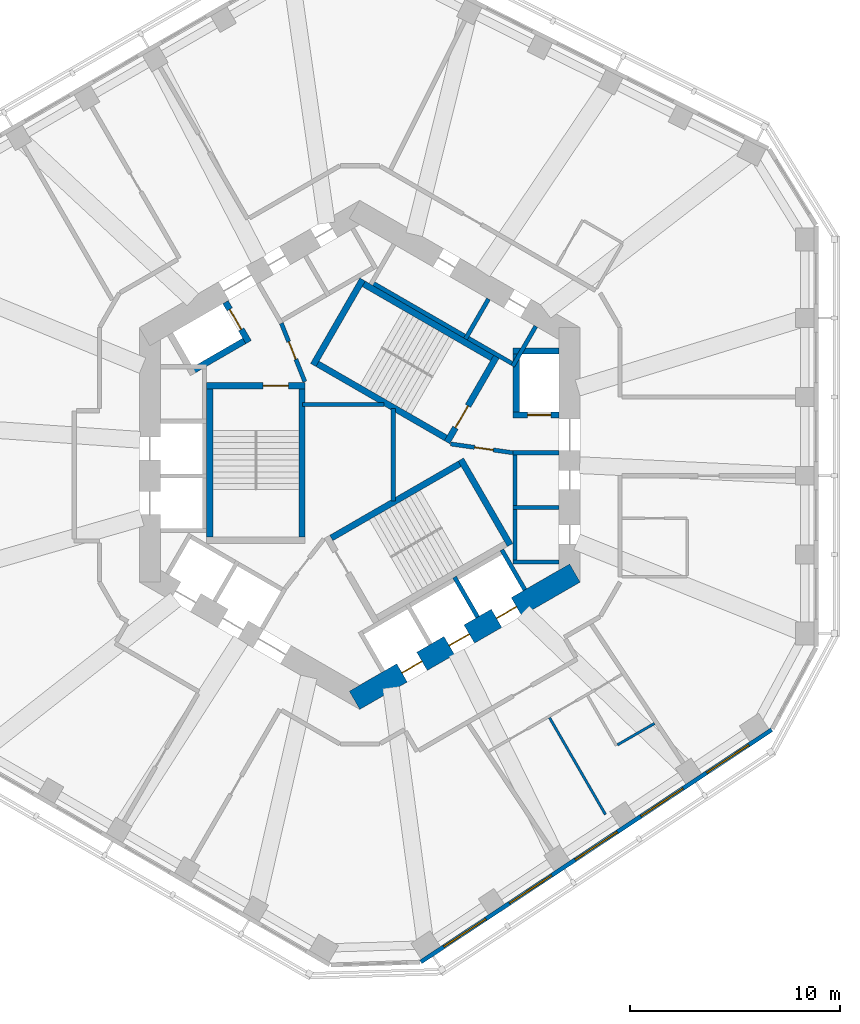
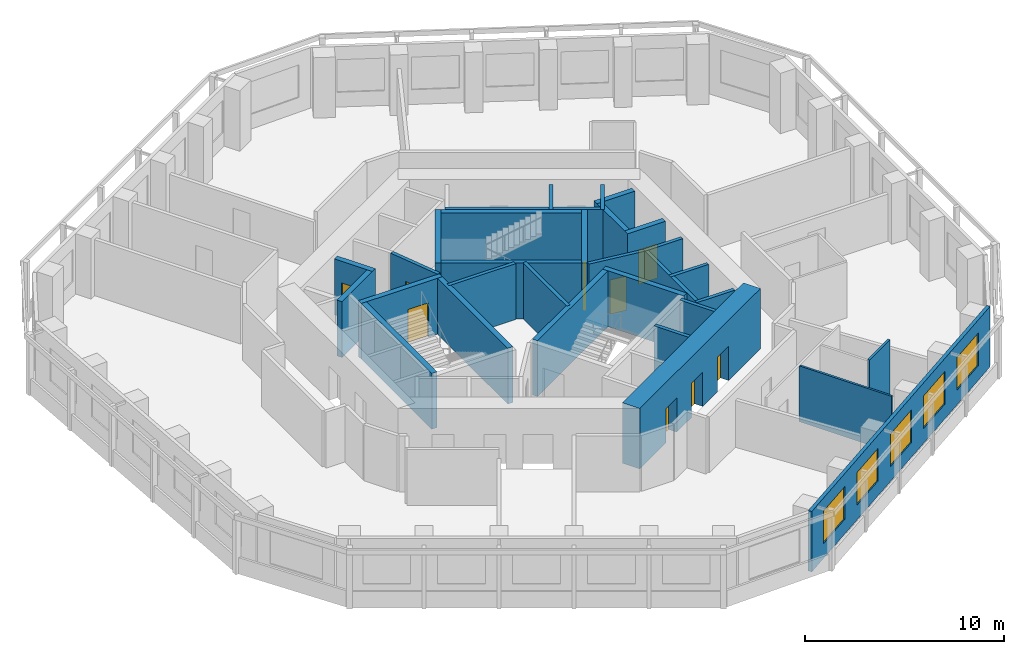
# One storey, part 5 of 10: 31 walls, 9 doors, 5 windows, 14 openings.
"""IFC4 building model written with IfcOpenShell, lengths in metres."""

from ifc_helpers import new_model, si_unit, direction, frame, frame_2d, origin, place, context, subcontext, project, spatial, rectangle, extrude, material, layer, layer_set, type_object, element, fill, save


model = new_model("IFC4")

# Units and contexts
model_context = context("Model", 3, precision=1e-05, world=origin(), true_north=direction((0.0, 1.0)))
body_context = subcontext(model_context, "Body", "Model", "MODEL_VIEW")
ifc_project = project(units=[si_unit("LENGTHUNIT", "METRE"), si_unit("AREAUNIT", "SQUARE_METRE"), si_unit("VOLUMEUNIT", "CUBIC_METRE"), si_unit("PLANEANGLEUNIT", "RADIAN"), si_unit("MASSUNIT", "GRAM", prefix="KILO")], contexts=[model_context])

# Site, building, storey
site_placement = place(None, origin())
site = spatial("IfcSite", under=ifc_project, at=site_placement, CompositionType="ELEMENT")
building_placement = place(site_placement, origin())
building = spatial("IfcBuilding", under=site, at=building_placement, Name="Vanh Sen Convention Tower", CompositionType="ELEMENT")
storey_placement = place(building_placement, frame((0.0, 0.0, 191.0)))
storey = spatial("IfcBuildingStorey", under=building, at=storey_placement, Name="L47", CompositionType="ELEMENT", Elevation=191.0)

# Walls
ifc_material_1 = material(Name="Moisture-resistant gypsum board on steel studs", Category="steel")
ifc_layer_1 = layer(ifc_material_1, 0.1201171875)
ifc_layer_set_1 = layer_set([ifc_layer_1], Name="Moisture-resistant gypsum board on steel studs")
wall_type_1 = type_object("IfcWallType", Name="Bathroom partition 120", PredefinedType="PARTITIONING", material=ifc_layer_set_1)
wall_1_placement = place(storey_placement, frame((11.705322265625, -17.1357421875, 0.0), z_axis=(0.0, 0.0, 1.0), x_axis=(-0.499985382219, 0.8660338432, 0.0)))
element("IfcWall", 1, at=wall_1_placement, inside=storey, type_object=wall_type_1, Name="Bathroom partition 120", PredefinedType="PARTITIONING", context=body_context, shape_type="SweptSolid", body=[
    extrude(rectangle(XDim=5.331787109375, YDim=0.1201171875, at=frame_2d((2.666015625, 0.0))), origin(), (0.0, 0.0, 1.0), 3.419921875),
])
wall_2_placement = place(storey_placement, frame((12.274658203125, -13.814453125, 0.0), z_axis=(0.0, 0.0, 1.0), x_axis=(0.866010195725, 0.500026340207, 0.0)))
element("IfcWall", 2, at=wall_2_placement, inside=storey, type_object=wall_type_1, Name="Bathroom partition 120", PredefinedType="PARTITIONING", context=body_context, shape_type="SweptSolid", body=[
    extrude(rectangle(XDim=2.0400390625, YDim=0.1201171875, at=frame_2d((1.02001953125, 0.0))), origin(), (0.0, 0.0, 1.0), 3.419921875),
])

# Wall, openings, doors
ifc_material_2 = material(Name="Concrete C80/95", Category="concrete")
ifc_layer_2 = layer(ifc_material_2, 1.0)
ifc_layer_set_2 = layer_set([ifc_layer_2], Name="Concrete C80/95")
wall_type_2 = type_object("IfcWallType", Name="Core outer wall 1000 C80/95", PredefinedType="SHEAR", material=ifc_layer_set_2)
wall_3_placement = place(storey_placement, frame((-0.25, -11.69140625, 0.0), z_axis=(0.0, 0.0, 1.0), x_axis=(0.866022616891, 0.50000482701, 0.0)))
wall_3 = element("IfcWall", 3, at=wall_3_placement, inside=storey, type_object=wall_type_2, Name="Core wall face SE L47", PredefinedType="SHEAR", context=body_context, shape_type="SweptSolid", body=[
    extrude(rectangle(XDim=12.12451171875, YDim=1.0, at=frame_2d((6.062255859375, 0.0))), origin(), (0.0, 0.0, 1.0), 3.699951171875),
])
opening_1_placement = place(wall_3_placement, frame((2.6123046875, 0.0, 0.0)))
opening_1 = element("IfcOpeningElement", 4, at=opening_1_placement, cuts=wall_3, Name="Opening LD-HR5", PredefinedType="OPENING", context=body_context, shape_type="SweptSolid", body=[
    extrude(rectangle(XDim=1.10009765625, YDim=2.10009765625, at=frame_2d((0.550048828125, 1.050048828125))), frame((0.0, 0.510009765625, 0.0), z_axis=(0.0, -1.0, 0.0), x_axis=(1.0, 0.0, 0.0)), (0.0, 0.0, 1.0), 1.02001953125),
])
opening_2_placement = place(wall_3_placement, frame((5.212158203125, 0.0, 0.0)))
opening_2 = element("IfcOpeningElement", 5, at=opening_2_placement, cuts=wall_3, Name="Opening LD-HR6", PredefinedType="OPENING", context=body_context, shape_type="SweptSolid", body=[
    extrude(rectangle(XDim=1.10009765625, YDim=2.10009765625, at=frame_2d((0.550048828125, 1.050048828125))), frame((0.0, 0.510009765625, 0.0), z_axis=(0.0, -1.0, 0.0), x_axis=(1.0, 0.0, 0.0)), (0.0, 0.0, 1.0), 1.02001953125),
])
opening_3_placement = place(wall_3_placement, frame((7.812255859375, 0.0, 0.0)))
opening_3 = element("IfcOpeningElement", 6, at=opening_3_placement, cuts=wall_3, Name="Opening LD-SV1", PredefinedType="OPENING", context=body_context, shape_type="SweptSolid", body=[
    extrude(rectangle(XDim=1.10009765625, YDim=2.10009765625, at=frame_2d((0.550048828125, 1.050048828125))), frame((0.0, 0.510009765625, 0.0), z_axis=(0.0, -1.0, 0.0), x_axis=(1.0, 0.0, 0.0)), (0.0, 0.0, 1.0), 1.02001953125),
])
ifc_material_3 = material(Name="Stainless steel", Category="steel")
door_type_1 = type_object("IfcDoorType", Name="Lift landing door 1100", OperationType="DOUBLE_DOOR_SLIDING", PredefinedType="DOOR", material=ifc_material_3)
door_1_placement = place(opening_1_placement, origin())
door_1 = element("IfcDoor", 7, at=door_1_placement, inside=storey, type_object=door_type_1, Name="Lift HR5 landing door LD-HR5", OperationType="DOUBLE_DOOR_SLIDING", OverallHeight=2.10009765625, OverallWidth=1.10009765625, PredefinedType="DOOR", context=body_context, shape_type="SweptSolid", body=[
    extrude(rectangle(XDim=1.10009765625, YDim=2.10009765625, at=frame_2d((0.550048828125, 1.050048828125))), frame((0.0, 0.02490234375, 0.0), z_axis=(0.0, -1.0, 0.0), x_axis=(1.0, 0.0, 0.0)), (0.0, 0.0, 1.0), 0.050048828125),
])
fill(opening_1, door_1)
door_2_placement = place(opening_2_placement, origin())
door_2 = element("IfcDoor", 8, at=door_2_placement, inside=storey, type_object=door_type_1, Name="Lift HR6 landing door LD-HR6", OperationType="DOUBLE_DOOR_SLIDING", OverallHeight=2.10009765625, OverallWidth=1.10009765625, PredefinedType="DOOR", context=body_context, shape_type="SweptSolid", body=[
    extrude(rectangle(XDim=1.10009765625, YDim=2.10009765625, at=frame_2d((0.550048828125, 1.050048828125))), frame((0.0, 0.02490234375, 0.0), z_axis=(0.0, -1.0, 0.0), x_axis=(1.0, 0.0, 0.0)), (0.0, 0.0, 1.0), 0.050048828125),
])
fill(opening_2, door_2)
door_3_placement = place(opening_3_placement, origin())
door_3 = element("IfcDoor", 9, at=door_3_placement, inside=storey, type_object=door_type_1, Name="Lift SV1 landing door LD-SV1", OperationType="DOUBLE_DOOR_SLIDING", OverallHeight=2.10009765625, OverallWidth=1.10009765625, PredefinedType="DOOR", context=body_context, shape_type="SweptSolid", body=[
    extrude(rectangle(XDim=1.10009765625, YDim=2.10009765625, at=frame_2d((0.550048828125, 1.050048828125))), frame((0.0, 0.02490234375, 0.0), z_axis=(0.0, -1.0, 0.0), x_axis=(1.0, 0.0, 0.0)), (0.0, 0.0, 1.0), 0.050048828125),
])
fill(opening_3, door_3)

# Walls
ifc_material_4 = material(Name="Masonry blockwork", Category="masonry")
ifc_layer_3 = layer(ifc_material_4, 0.199951171875)
ifc_layer_set_3 = layer_set([ifc_layer_3], Name="Masonry blockwork")
wall_type_3 = type_object("IfcWallType", Name="Core partition 200", PredefinedType="PARTITIONING", material=ifc_layer_set_3)
wall_4_placement = place(storey_placement, frame((-2.719970703125, 2.39990234375, 0.0), z_axis=(0.0, 0.0, 1.0), x_axis=(1.0, 0.0, 0.0)))
element("IfcWall", 10, at=wall_4_placement, inside=storey, type_object=wall_type_3, Name="Core partition L47", PredefinedType="PARTITIONING", context=body_context, shape_type="SweptSolid", body=[
    extrude(rectangle(XDim=3.883056640625, YDim=0.199951171875, at=frame_2d((1.94140625, 0.0))), origin(), (0.0, 0.0, 1.0), 3.419921875),
])
wall_5_placement = place(storey_placement, frame((1.60009765625, -2.198486328125, 0.0), z_axis=(0.0, 0.0, 1.0), x_axis=(0.0, 1.0, 0.0)))
element("IfcWall", 11, at=wall_5_placement, inside=storey, type_object=wall_type_3, Name="Core partition L47", PredefinedType="PARTITIONING", context=body_context, shape_type="SweptSolid", body=[
    extrude(rectangle(XDim=4.39697265625, YDim=0.199951171875, at=frame_2d((2.198486328125, 0.0))), origin(), (0.0, 0.0, 1.0), 3.419921875),
])

# Wall, openings, windows
ifc_material_5 = material(Name="Insulated lightweight infill wall")
ifc_layer_4 = layer(ifc_material_5, 0.199951171875)
ifc_layer_set_4 = layer_set([ifc_layer_4], Name="Insulated lightweight infill wall")
wall_type_4 = type_object("IfcWallType", Name="External wall 200", PredefinedType="STANDARD", material=ifc_layer_set_4)
wall_6_placement = place(storey_placement, frame((2.910888671875, -24.156005859375, 0.0), z_axis=(0.0, 0.0, 1.0), x_axis=(0.833882163564, 0.551942512668, 0.0)))
wall_6 = element("IfcWall", 12, at=wall_6_placement, inside=storey, type_object=wall_type_4, Name="External wall SE L47", PredefinedType="STANDARD", context=body_context, shape_type="SweptSolid", body=[
    extrude(rectangle(XDim=20.043701171875, YDim=0.199951171875, at=frame_2d((10.02197265625, 0.0))), origin(), (0.0, 0.0, 1.0), 3.699951171875),
])
opening_4_placement = place(wall_6_placement, frame((1.312744140625, 0.0, 0.89990234375)))
opening_4 = element("IfcOpeningElement", 13, at=opening_4_placement, cuts=wall_6, Name="Opening WO1-SE1", PredefinedType="OPENING", context=body_context, shape_type="SweptSolid", body=[
    extrude(rectangle(XDim=2.39990234375, YDim=2.0, at=frame_2d((1.199951171875, 1.0))), frame((0.0, 0.10986328125, 0.0), z_axis=(0.0, -1.0, 0.0), x_axis=(1.0, 0.0, 0.0)), (0.0, 0.0, 1.0), 0.219970703125),
])
opening_5_placement = place(wall_6_placement, frame((5.06689453125, 0.0, 0.89990234375)))
opening_5 = element("IfcOpeningElement", 14, at=opening_5_placement, cuts=wall_6, Name="Opening WO1-SE2", PredefinedType="OPENING", context=body_context, shape_type="SweptSolid", body=[
    extrude(rectangle(XDim=2.39990234375, YDim=2.0, at=frame_2d((1.199951171875, 1.0))), frame((0.0, 0.10986328125, 0.0), z_axis=(0.0, -1.0, 0.0), x_axis=(1.0, 0.0, 0.0)), (0.0, 0.0, 1.0), 0.219970703125),
])
opening_6_placement = place(wall_6_placement, frame((8.82080078125, 0.0, 0.89990234375)))
opening_6 = element("IfcOpeningElement", 15, at=opening_6_placement, cuts=wall_6, Name="Opening WO1-SE3", PredefinedType="OPENING", context=body_context, shape_type="SweptSolid", body=[
    extrude(rectangle(XDim=2.39990234375, YDim=2.0, at=frame_2d((1.199951171875, 1.0))), frame((0.0, 0.10986328125, 0.0), z_axis=(0.0, -1.0, 0.0), x_axis=(1.0, 0.0, 0.0)), (0.0, 0.0, 1.0), 0.219970703125),
])
opening_7_placement = place(wall_6_placement, frame((12.5751953125, 0.0, 0.89990234375)))
opening_7 = element("IfcOpeningElement", 16, at=opening_7_placement, cuts=wall_6, Name="Opening WO1-SE4", PredefinedType="OPENING", context=body_context, shape_type="SweptSolid", body=[
    extrude(rectangle(XDim=2.39990234375, YDim=2.0, at=frame_2d((1.199951171875, 1.0))), frame((0.0, 0.10986328125, 0.0), z_axis=(0.0, -1.0, 0.0), x_axis=(1.0, 0.0, 0.0)), (0.0, 0.0, 1.0), 0.219970703125),
])
opening_8_placement = place(wall_6_placement, frame((16.3291015625, 0.0, 0.89990234375)))
opening_8 = element("IfcOpeningElement", 17, at=opening_8_placement, cuts=wall_6, Name="Opening WO1-SE5", PredefinedType="OPENING", context=body_context, shape_type="SweptSolid", body=[
    extrude(rectangle(XDim=2.39990234375, YDim=2.0, at=frame_2d((1.199951171875, 1.0))), frame((0.0, 0.10986328125, 0.0), z_axis=(0.0, -1.0, 0.0), x_axis=(1.0, 0.0, 0.0)), (0.0, 0.0, 1.0), 0.219970703125),
])
ifc_material_6 = material(Name="Aluminium frame with clear low-emissivity glass", Category="aluminium")
window_type = type_object("IfcWindowType", Name="Office window 2400 x 2000", PartitioningType="SINGLE_PANEL", PredefinedType="WINDOW", material=ifc_material_6)
window_1_placement = place(opening_4_placement, origin())
window_1 = element("IfcWindow", 18, at=window_1_placement, inside=storey, type_object=window_type, Name="Window WO1-SE1", OverallHeight=2.0, OverallWidth=2.39990234375, PartitioningType="SINGLE_PANEL", PredefinedType="WINDOW", context=body_context, shape_type="SweptSolid", body=[
    extrude(rectangle(XDim=2.39990234375, YDim=2.0, at=frame_2d((1.199951171875, 1.0))), frame((0.0, 0.030029296875, 0.0), z_axis=(0.0, -1.0, 0.0), x_axis=(1.0, 0.0, 0.0)), (0.0, 0.0, 1.0), 0.06005859375),
])
fill(opening_4, window_1)
window_2_placement = place(opening_5_placement, origin())
window_2 = element("IfcWindow", 19, at=window_2_placement, inside=storey, type_object=window_type, Name="Window WO1-SE2", OverallHeight=2.0, OverallWidth=2.39990234375, PartitioningType="SINGLE_PANEL", PredefinedType="WINDOW", context=body_context, shape_type="SweptSolid", body=[
    extrude(rectangle(XDim=2.39990234375, YDim=2.0, at=frame_2d((1.199951171875, 1.0))), frame((0.0, 0.030029296875, 0.0), z_axis=(0.0, -1.0, 0.0), x_axis=(1.0, 0.0, 0.0)), (0.0, 0.0, 1.0), 0.06005859375),
])
fill(opening_5, window_2)
window_3_placement = place(opening_6_placement, origin())
window_3 = element("IfcWindow", 20, at=window_3_placement, inside=storey, type_object=window_type, Name="Window WO1-SE3", OverallHeight=2.0, OverallWidth=2.39990234375, PartitioningType="SINGLE_PANEL", PredefinedType="WINDOW", context=body_context, shape_type="SweptSolid", body=[
    extrude(rectangle(XDim=2.39990234375, YDim=2.0, at=frame_2d((1.199951171875, 1.0))), frame((0.0, 0.030029296875, 0.0), z_axis=(0.0, -1.0, 0.0), x_axis=(1.0, 0.0, 0.0)), (0.0, 0.0, 1.0), 0.06005859375),
])
fill(opening_6, window_3)
window_4_placement = place(opening_7_placement, origin())
window_4 = element("IfcWindow", 21, at=window_4_placement, inside=storey, type_object=window_type, Name="Window WO1-SE4", OverallHeight=2.0, OverallWidth=2.39990234375, PartitioningType="SINGLE_PANEL", PredefinedType="WINDOW", context=body_context, shape_type="SweptSolid", body=[
    extrude(rectangle(XDim=2.39990234375, YDim=2.0, at=frame_2d((1.199951171875, 1.0))), frame((0.0, 0.030029296875, 0.0), z_axis=(0.0, -1.0, 0.0), x_axis=(1.0, 0.0, 0.0)), (0.0, 0.0, 1.0), 0.06005859375),
])
fill(opening_7, window_4)
window_5_placement = place(opening_8_placement, origin())
window_5 = element("IfcWindow", 22, at=window_5_placement, inside=storey, type_object=window_type, Name="Window WO1-SE5", OverallHeight=2.0, OverallWidth=2.39990234375, PartitioningType="SINGLE_PANEL", PredefinedType="WINDOW", context=body_context, shape_type="SweptSolid", body=[
    extrude(rectangle(XDim=2.39990234375, YDim=2.0, at=frame_2d((1.199951171875, 1.0))), frame((0.0, 0.030029296875, 0.0), z_axis=(0.0, -1.0, 0.0), x_axis=(1.0, 0.0, 0.0)), (0.0, 0.0, 1.0), 0.06005859375),
])
fill(opening_8, window_5)

# Wall, opening, door
ifc_material_7 = material(Name="Concrete C60/75", Category="concrete")
ifc_layer_5 = layer(ifc_material_7, 0.300048828125)
ifc_layer_set_5 = layer_set([ifc_layer_5], Name="Concrete C60/75")
wall_type_5 = type_object("IfcWallType", Name="Fire-fighting lift shaft wall 300", PredefinedType="SHEAR", material=ifc_layer_set_5)
wall_7_placement = place(storey_placement, frame((7.300048828125, 1.89990234375, 0.0), z_axis=(0.0, 0.0, 1.0), x_axis=(1.0, 0.0, 0.0)))
wall_7 = element("IfcWall", 23, at=wall_7_placement, inside=storey, type_object=wall_type_5, Name="Fire-fighting lift shaft wall L47", PredefinedType="SHEAR", context=body_context, shape_type="SweptSolid", body=[
    extrude(rectangle(XDim=2.199951171875, YDim=0.300048828125, at=frame_2d((1.10009765625, 0.0))), origin(), (0.0, 0.0, 1.0), 3.419921875),
])
opening_9_placement = place(wall_7_placement, frame((0.699951171875, 0.0, 0.0)))
opening_9 = element("IfcOpeningElement", 24, at=opening_9_placement, cuts=wall_7, Name="Opening LD-FF1", PredefinedType="OPENING", context=body_context, shape_type="SweptSolid", body=[
    extrude(rectangle(XDim=1.10009765625, YDim=2.10009765625, at=frame_2d((0.550048828125, 1.050048828125))), frame((0.0, 0.159912109375, 0.0), z_axis=(0.0, -1.0, 0.0), x_axis=(1.0, 0.0, 0.0)), (0.0, 0.0, 1.0), 0.320068359375),
])
door_type_2 = type_object("IfcDoorType", Name="Fire-fighting lift landing door 1100", OperationType="DOUBLE_DOOR_SLIDING", PredefinedType="DOOR", material=ifc_material_3)
door_4_placement = place(opening_9_placement, origin())
door_4 = element("IfcDoor", 25, at=door_4_placement, inside=storey, type_object=door_type_2, Name="Lift FF1 landing door LD-FF1", OperationType="DOUBLE_DOOR_SLIDING", OverallHeight=2.10009765625, OverallWidth=1.10009765625, PredefinedType="DOOR", context=body_context, shape_type="SweptSolid", body=[
    extrude(rectangle(XDim=1.10009765625, YDim=2.10009765625, at=frame_2d((0.550048828125, 1.050048828125))), frame((0.0, 0.02490234375, 0.0), z_axis=(0.0, -1.0, 0.0), x_axis=(1.0, 0.0, 0.0)), (0.0, 0.0, 1.0), 0.050048828125),
])
fill(opening_9, door_4)

# Walls
wall_8_placement = place(storey_placement, frame((7.449951171875, 1.75, 0.0), z_axis=(0.0, 0.0, 1.0), x_axis=(0.0, 1.0, 0.0)))
element("IfcWall", 26, at=wall_8_placement, inside=storey, type_object=wall_type_5, Name="Fire-fighting lift shaft wall L47", PredefinedType="SHEAR", context=body_context, shape_type="SweptSolid", body=[
    extrude(rectangle(XDim=3.35009765625, YDim=0.300048828125, at=frame_2d((1.675048828125, 0.0))), origin(), (0.0, 0.0, 1.0), 3.419921875),
])
wall_9_placement = place(storey_placement, frame((7.300048828125, 4.949951171875, 0.0), z_axis=(0.0, 0.0, 1.0), x_axis=(1.0, 0.0, 0.0)))
element("IfcWall", 27, at=wall_9_placement, inside=storey, type_object=wall_type_5, Name="Fire-fighting lift shaft wall L47", PredefinedType="SHEAR", context=body_context, shape_type="SweptSolid", body=[
    extrude(rectangle(XDim=2.199951171875, YDim=0.300048828125, at=frame_2d((1.10009765625, 0.0))), origin(), (0.0, 0.0, 1.0), 3.419921875),
])

# Wall, opening, door
wall_10_placement = place(storey_placement, frame((-5.29541015625, 5.3720703125, 0.0), z_axis=(0.0, 0.0, 1.0), x_axis=(-0.500077893725, 0.86598042715, 0.0)))
wall_10 = element("IfcWall", 28, at=wall_10_placement, inside=storey, type_object=wall_type_5, Name="Fire-fighting lift shaft wall L47", PredefinedType="SHEAR", context=body_context, shape_type="SweptSolid", body=[
    extrude(rectangle(XDim=2.199951171875, YDim=0.300048828125, at=frame_2d((1.10009765625, 0.0))), origin(), (0.0, 0.0, 1.0), 3.419921875),
])
opening_10_placement = place(wall_10_placement, frame((0.699951171875, 0.0, 0.0)))
opening_10 = element("IfcOpeningElement", 29, at=opening_10_placement, cuts=wall_10, Name="Opening LD-FF2", PredefinedType="OPENING", context=body_context, shape_type="SweptSolid", body=[
    extrude(rectangle(XDim=1.10009765625, YDim=2.10009765625, at=frame_2d((0.550048828125, 1.050048828125))), frame((0.0, 0.159912109375, 0.0), z_axis=(0.0, -1.0, 0.0), x_axis=(1.0, 0.0, 0.0)), (0.0, 0.0, 1.0), 0.320068359375),
])
door_5_placement = place(opening_10_placement, origin())
door_5 = element("IfcDoor", 30, at=door_5_placement, inside=storey, type_object=door_type_2, Name="Lift FF2 landing door LD-FF2", OperationType="DOUBLE_DOOR_SLIDING", OverallHeight=2.10009765625, OverallWidth=1.10009765625, PredefinedType="DOOR", context=body_context, shape_type="SweptSolid", body=[
    extrude(rectangle(XDim=1.10009765625, YDim=2.10009765625, at=frame_2d((0.550048828125, 1.050048828125))), frame((0.0, 0.02490234375, 0.0), z_axis=(0.0, -1.0, 0.0), x_axis=(1.0, 0.0, 0.0)), (0.0, 0.0, 1.0), 0.050048828125),
])
fill(opening_10, door_5)

# Walls
wall_11_placement = place(storey_placement, frame((-5.240478515625, 5.576904296875, 0.0), z_axis=(0.0, 0.0, 1.0), x_axis=(-0.866014461049, -0.500018952895, 0.0)))
element("IfcWall", 31, at=wall_11_placement, inside=storey, type_object=wall_type_5, Name="Fire-fighting lift shaft wall L47", PredefinedType="SHEAR", context=body_context, shape_type="SweptSolid", body=[
    extrude(rectangle(XDim=3.349853515625, YDim=0.300048828125, at=frame_2d((1.6748046875, 0.0))), origin(), (0.0, 0.0, 1.0), 3.419921875),
])
ifc_material_8 = material(Name="Concrete C40/50", Category="concrete")
ifc_layer_6 = layer(ifc_material_8, 0.199951171875)
ifc_layer_set_6 = layer_set([ifc_layer_6], Name="Concrete C40/50")
wall_type_6 = type_object("IfcWallType", Name="Lift shaft wall 200", PredefinedType="PARTITIONING", material=ifc_layer_set_6)
wall_12_placement = place(storey_placement, frame((7.39990234375, -5.199951171875, 0.0), z_axis=(0.0, 0.0, 1.0), x_axis=(0.0, 1.0, 0.0)))
element("IfcWall", 32, at=wall_12_placement, inside=storey, type_object=wall_type_6, Name="Lift shaft wall L47", PredefinedType="PARTITIONING", context=body_context, shape_type="SweptSolid", body=[
    extrude(rectangle(XDim=5.39990234375, YDim=0.199951171875, at=frame_2d((2.699951171875, 0.0))), origin(), (0.0, 0.0, 1.0), 3.419921875),
])
for number, where, z_axis, x_axis, name in (
    (33, (7.300048828125, -5.10009765625, 0.0), (0.0, 0.0, 1.0), (1.0, 0.0, 0.0), "Lift shaft wall L47"),
    (34, (7.300048828125, -2.5, 0.0), (0.0, 0.0, 1.0), (1.0, 0.0, 0.0), "Lift shaft wall L47"),
    (35, (7.300048828125, 0.10009765625, 0.0), (0.0, 0.0, 1.0), (1.0, 0.0, 0.0), "Lift shaft wall L47"),
):
    element("IfcWall", number, at=place(storey_placement, frame(where, z_axis=z_axis, x_axis=x_axis)), inside=storey, type_object=wall_type_6, Name=name, PredefinedType="PARTITIONING", context=body_context, shape_type="SweptSolid", body=[
        extrude(rectangle(XDim=2.199951171875, YDim=0.199951171875, at=frame_2d((1.10009765625, 0.0))), origin(), (0.0, 0.0, 1.0), 3.419921875),
    ])
wall_13_placement = place(storey_placement, frame((7.423828125, 4.258544921875, 0.0), z_axis=(0.0, 0.0, 1.0), x_axis=(-0.866026010844, 0.49999894854, 0.0)))
element("IfcWall", 36, at=wall_13_placement, inside=storey, type_object=wall_type_6, Name="Lift shaft wall L47", PredefinedType="PARTITIONING", context=body_context, shape_type="SweptSolid", body=[
    extrude(rectangle(XDim=8.0, YDim=0.199951171875, at=frame_2d((4.0, 0.0))), origin(), (0.0, 0.0, 1.0), 3.419921875),
])
for number, where, z_axis, x_axis, name in (
    (37, (7.287353515625, 4.221923828125, 0.0), (0.0, 0.0, 1.0), (0.499946605688, 0.86605622881, 0.0), "Lift shaft wall L47"),
    (38, (5.03564453125, 5.52197265625, 0.0), (0.0, 0.0, 1.0), (0.499946605688, 0.86605622881, 0.0), "Lift shaft wall L47"),
    (39, (4.51611328125, -5.822021484375, 0.0), (0.0, 0.0, 1.0), (0.499946605688, -0.86605622881, 0.0), "Lift shaft wall L47"),
    (40, (6.767578125, -4.52197265625, 0.0), (0.0, 0.0, 1.0), (0.50002983664, -0.866008176907, 0.0), "Lift shaft wall L47"),
):
    element("IfcWall", number, at=place(storey_placement, frame(where, z_axis=z_axis, x_axis=x_axis)), inside=storey, type_object=wall_type_6, Name=name, PredefinedType="PARTITIONING", context=body_context, shape_type="SweptSolid", body=[
        extrude(rectangle(XDim=2.199951171875, YDim=0.199951171875, at=frame_2d((1.10009765625, 0.0))), origin(), (0.0, 0.0, 1.0), 3.419921875),
    ])

# Wall, opening, door
ifc_layer_7 = layer(ifc_material_8, 0.199951171875)
ifc_layer_set_7 = layer_set([ifc_layer_7], Name="Concrete C40/50")
wall_type_7 = type_object("IfcWallType", Name="Stair lobby wall 200", PredefinedType="PARTITIONING", material=ifc_layer_set_7)
wall_14_placement = place(storey_placement, frame((4.327392578125, 0.52099609375, 0.0), z_axis=(0.0, 0.0, 1.0), x_axis=(0.990124376366, -0.14019172346, 0.0)))
wall_14 = element("IfcWall", 41, at=wall_14_placement, inside=storey, type_object=wall_type_7, Name="Stair lobby wall L47", PredefinedType="PARTITIONING", context=body_context, shape_type="SweptSolid", body=[
    extrude(rectangle(XDim=3.002197265625, YDim=0.199951171875, at=frame_2d((1.5009765625, 0.0))), origin(), (0.0, 0.0, 1.0), 3.419921875),
])
opening_11_placement = place(wall_14_placement, frame((1.14990234375, 0.0, 0.0)))
opening_11 = element("IfcOpeningElement", 42, at=opening_11_placement, cuts=wall_14, Name="Opening D47007", PredefinedType="OPENING", context=body_context, shape_type="SweptSolid", body=[
    extrude(rectangle(XDim=0.89990234375, YDim=2.10009765625, at=frame_2d((0.449951171875, 1.050048828125))), frame((0.0, 0.10986328125, 0.0), z_axis=(0.0, -1.0, 0.0), x_axis=(1.0, 0.0, 0.0)), (0.0, 0.0, 1.0), 0.219970703125),
])
ifc_material_9 = material(Name="Steel S355", Category="steel")
door_type_3 = type_object("IfcDoorType", Name="Plant door 900", OperationType="SINGLE_SWING_LEFT", PredefinedType="DOOR", material=ifc_material_9)
door_6_placement = place(opening_11_placement, origin())
door_6 = element("IfcDoor", 43, at=door_6_placement, inside=storey, type_object=door_type_3, Name="Plant door D47007", OperationType="SINGLE_SWING_LEFT", OverallHeight=2.10009765625, OverallWidth=0.89990234375, PredefinedType="DOOR", context=body_context, shape_type="SweptSolid", body=[
    extrude(rectangle(XDim=0.89990234375, YDim=2.10009765625, at=frame_2d((0.449951171875, 1.050048828125))), frame((0.0, 0.02490234375, 0.0), z_axis=(0.0, -1.0, 0.0), x_axis=(1.0, 0.0, 0.0)), (0.0, 0.0, 1.0), 0.050048828125),
])
fill(opening_11, door_6)

wall_15_placement = place(storey_placement, frame((-2.614990234375, 3.487060546875, 0.0), z_axis=(0.0, 0.0, 1.0), x_axis=(-0.373576831041, 0.92759924068, 0.0)))
wall_15 = element("IfcWall", 44, at=wall_15_placement, inside=storey, type_object=wall_type_7, Name="Stair lobby wall L47", PredefinedType="PARTITIONING", context=body_context, shape_type="SweptSolid", body=[
    extrude(rectangle(XDim=3.002197265625, YDim=0.199951171875, at=frame_2d((1.5009765625, 0.0))), origin(), (0.0, 0.0, 1.0), 3.419921875),
])
opening_12_placement = place(wall_15_placement, frame((1.14990234375, 0.0, 0.0)))
opening_12 = element("IfcOpeningElement", 45, at=opening_12_placement, cuts=wall_15, Name="Opening D47008", PredefinedType="OPENING", context=body_context, shape_type="SweptSolid", body=[
    extrude(rectangle(XDim=0.89990234375, YDim=2.10009765625, at=frame_2d((0.449951171875, 1.050048828125))), frame((0.0, 0.10986328125, 0.0), z_axis=(0.0, -1.0, 0.0), x_axis=(1.0, 0.0, 0.0)), (0.0, 0.0, 1.0), 0.219970703125),
])
door_7_placement = place(opening_12_placement, origin())
door_7 = element("IfcDoor", 46, at=door_7_placement, inside=storey, type_object=door_type_3, Name="Plant door D47008", OperationType="SINGLE_SWING_LEFT", OverallHeight=2.10009765625, OverallWidth=0.89990234375, PredefinedType="DOOR", context=body_context, shape_type="SweptSolid", body=[
    extrude(rectangle(XDim=0.89990234375, YDim=2.10009765625, at=frame_2d((0.449951171875, 1.050048828125))), frame((0.0, 0.02490234375, 0.0), z_axis=(0.0, -1.0, 0.0), x_axis=(1.0, 0.0, 0.0)), (0.0, 0.0, 1.0), 0.050048828125),
])
fill(opening_12, door_7)

ifc_layer_8 = layer(ifc_material_7, 0.300048828125)
ifc_layer_set_8 = layer_set([ifc_layer_8], Name="Concrete C60/75")
wall_type_8 = type_object("IfcWallType", Name="Stair wall 300", PredefinedType="SHEAR", material=ifc_layer_set_8)
wall_16_placement = place(storey_placement, frame((4.157958984375, 0.601806640625, 0.0), z_axis=(0.0, 0.0, 1.0), x_axis=(0.499977259774, 0.866038532462, 0.0)))
wall_16 = element("IfcWall", 47, at=wall_16_placement, inside=storey, type_object=wall_type_8, Name="Stair wall L47", PredefinedType="SHEAR", context=body_context, shape_type="SweptSolid", body=[
    extrude(rectangle(XDim=4.699951171875, YDim=0.300048828125, at=frame_2d((2.35009765625, 0.0))), origin(), (0.0, 0.0, 1.0), 3.419921875),
])
opening_13_placement = place(wall_16_placement, frame((0.800048828125, 0.0, 0.0)))
opening_13 = element("IfcOpeningElement", 48, at=opening_13_placement, cuts=wall_16, Name="Opening D47004", PredefinedType="OPENING", context=body_context, shape_type="SweptSolid", body=[
    extrude(rectangle(XDim=1.199951171875, YDim=2.10009765625, at=frame_2d((0.60009765625, 1.050048828125))), frame((0.0, 0.159912109375, 0.0), z_axis=(0.0, -1.0, 0.0), x_axis=(1.0, 0.0, 0.0)), (0.0, 0.0, 1.0), 0.320068359375),
])
door_type_4 = type_object("IfcDoorType", Name="Stair door 1200", OperationType="SINGLE_SWING_RIGHT", PredefinedType="DOOR", material=ifc_material_9)
door_8_placement = place(opening_13_placement, origin())
door_8 = element("IfcDoor", 49, at=door_8_placement, inside=storey, type_object=door_type_4, Name="Stair ST1 door D47004", OperationType="SINGLE_SWING_RIGHT", OverallHeight=2.10009765625, OverallWidth=1.199951171875, PredefinedType="DOOR", context=body_context, shape_type="SweptSolid", body=[
    extrude(rectangle(XDim=1.199951171875, YDim=2.10009765625, at=frame_2d((0.60009765625, 1.050048828125))), frame((0.0, 0.02490234375, 0.0), z_axis=(0.0, -1.0, 0.0), x_axis=(1.0, 0.0, 0.0)), (0.0, 0.0, 1.0), 0.050048828125),
])
fill(opening_13, door_8)

# Walls
wall_17_placement = place(storey_placement, frame((-2.216064453125, 4.28173828125, 0.0), z_axis=(0.0, 0.0, 1.0), x_axis=(0.499977259774, 0.866038532462, 0.0)))
element("IfcWall", 50, at=wall_17_placement, inside=storey, type_object=wall_type_8, Name="Stair wall L47", PredefinedType="SHEAR", context=body_context, shape_type="SweptSolid", body=[
    extrude(rectangle(XDim=4.699951171875, YDim=0.300048828125, at=frame_2d((2.35009765625, 0.0))), origin(), (0.0, 0.0, 1.0), 3.419921875),
])
for number, where, z_axis, x_axis, name in (
    (51, (4.10302734375, 0.806640625, 0.0), (0.0, 0.0, 1.0), (-0.866027801685, 0.499995846692, 0.0), "Stair wall L47"),
    (52, (6.302978515625, 4.6171875, 0.0), (0.0, 0.0, 1.0), (-0.866027801685, 0.499995846692, 0.0), "Stair wall L47"),
):
    element("IfcWall", number, at=place(storey_placement, frame(where, z_axis=z_axis, x_axis=x_axis)), inside=storey, type_object=wall_type_8, Name=name, PredefinedType="SHEAR", context=body_context, shape_type="SweptSolid", body=[
        extrude(rectangle(XDim=7.06005859375, YDim=0.300048828125, at=frame_2d((3.530029296875, 0.0))), origin(), (0.0, 0.0, 1.0), 3.419921875),
    ])

# Wall, opening, door
wall_18_placement = place(storey_placement, frame((-2.60009765625, 3.300048828125, 0.0), z_axis=(0.0, 0.0, 1.0), x_axis=(-1.0, 0.0, 0.0)))
wall_18 = element("IfcWall", 53, at=wall_18_placement, inside=storey, type_object=wall_type_8, Name="Stair wall L47", PredefinedType="SHEAR", context=body_context, shape_type="SweptSolid", body=[
    extrude(rectangle(XDim=4.699951171875, YDim=0.300048828125, at=frame_2d((2.35009765625, 0.0))), origin(), (0.0, 0.0, 1.0), 3.419921875),
])
opening_14_placement = place(wall_18_placement, frame((0.800048828125, 0.0, 0.0)))
opening_14 = element("IfcOpeningElement", 54, at=opening_14_placement, cuts=wall_18, Name="Opening D47005", PredefinedType="OPENING", context=body_context, shape_type="SweptSolid", body=[
    extrude(rectangle(XDim=1.199951171875, YDim=2.10009765625, at=frame_2d((0.60009765625, 1.050048828125))), frame((0.0, 0.159912109375, 0.0), z_axis=(0.0, -1.0, 0.0), x_axis=(1.0, 0.0, 0.0)), (0.0, 0.0, 1.0), 0.320068359375),
])
door_9_placement = place(opening_14_placement, origin())
door_9 = element("IfcDoor", 55, at=door_9_placement, inside=storey, type_object=door_type_4, Name="Stair ST2 door D47005", OperationType="SINGLE_SWING_RIGHT", OverallHeight=2.10009765625, OverallWidth=1.199951171875, PredefinedType="DOOR", context=body_context, shape_type="SweptSolid", body=[
    extrude(rectangle(XDim=1.199951171875, YDim=2.10009765625, at=frame_2d((0.60009765625, 1.050048828125))), frame((0.0, 0.02490234375, 0.0), z_axis=(0.0, -1.0, 0.0), x_axis=(1.0, 0.0, 0.0)), (0.0, 0.0, 1.0), 0.050048828125),
])
fill(opening_14, door_9)

# Walls
for number, where, z_axis, x_axis, name in (
    (56, (-2.75, 3.14990234375, 0.0), (0.0, 0.0, 1.0), (0.0, -1.0, 0.0), "Stair wall L47"),
    (57, (-7.14990234375, 3.14990234375, 0.0), (0.0, 0.0, 1.0), (0.0, -1.0, 0.0), "Stair wall L47"),
):
    element("IfcWall", number, at=place(storey_placement, frame(where, z_axis=z_axis, x_axis=x_axis)), inside=storey, type_object=wall_type_8, Name=name, PredefinedType="SHEAR", context=body_context, shape_type="SweptSolid", body=[
        extrude(rectangle(XDim=7.059814453125, YDim=0.300048828125, at=frame_2d((3.52978515625, 0.0))), origin(), (0.0, 0.0, 1.0), 3.419921875),
    ])
wall_19_placement = place(storey_placement, frame((4.816162109375, -0.2216796875, 0.0), z_axis=(0.0, 0.0, 1.0), x_axis=(0.499977259774, -0.866038532462, 0.0)))
element("IfcWall", 58, at=wall_19_placement, inside=storey, type_object=wall_type_8, Name="Stair wall L47", PredefinedType="SHEAR", context=body_context, shape_type="SweptSolid", body=[
    extrude(rectangle(XDim=4.699951171875, YDim=0.300048828125, at=frame_2d((2.35009765625, 0.0))), origin(), (0.0, 0.0, 1.0), 3.419921875),
])
wall_20_placement = place(storey_placement, frame((-1.35302734375, -3.95654296875, 0.0), z_axis=(0.0, 0.0, 1.0), x_axis=(0.866027801685, 0.499995846692, 0.0)))
element("IfcWall", 59, at=wall_20_placement, inside=storey, type_object=wall_type_8, Name="Stair wall L47", PredefinedType="SHEAR", context=body_context, shape_type="SweptSolid", body=[
    extrude(rectangle(XDim=7.06005859375, YDim=0.300048828125, at=frame_2d((3.530029296875, 0.0))), origin(), (0.0, 0.0, 1.0), 3.419921875),
])

save(model, "model.ifc")
